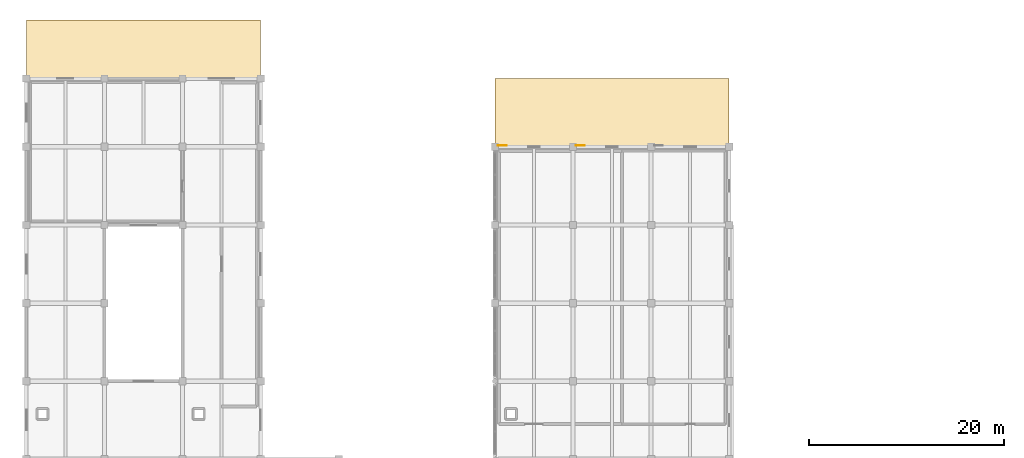
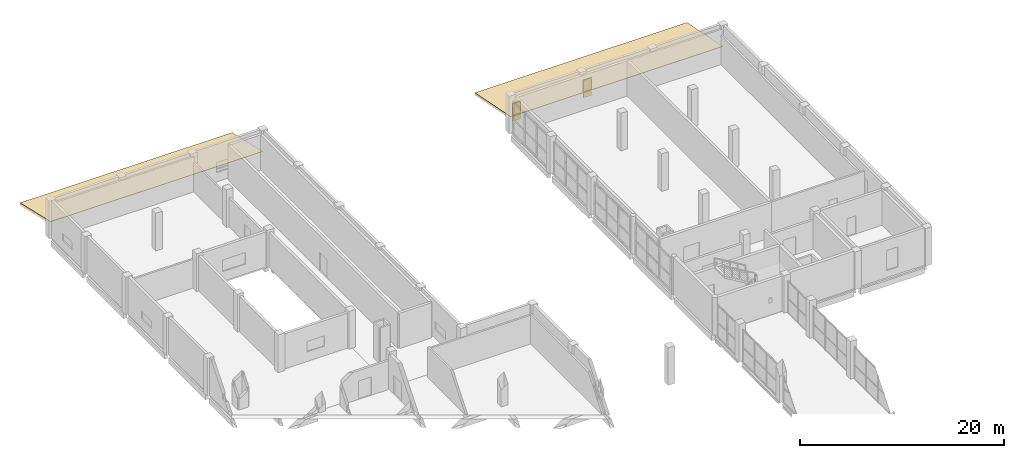
# One storey, part 51 of 53: 2 coverings, 2 shading devices.
"""IFC4 building model written with IfcOpenShell, lengths in metres."""

import ifcopenshell
import ifcopenshell.guid

model = None  # the IFC model being written
_history = None  # IfcOwnerHistory: only IFC2X3 demands one
_inside = {}  # id of a spatial element -> (the spatial element, [elements in it])
_under = {}  # id of a project, library or spatial element -> (it, [spatial elements below it])
_declared = {}  # id of a project -> (the project, [libraries it declares])
_typed = {}  # id of a type object -> (the type object, [elements of that type])
_made_of = {}  # id of a material, layer set ... -> (it, [elements and type objects made of it])


def new_model(schema):
    """Start an empty IFC model of exactly this schema.

    Asked for "IFC4X3", IfcOpenShell would pick the latest addendum, in which some entities
    have other attributes; the version numbers below select the first issue.
    IFC2X3 requires an IfcOwnerHistory on every rooted entity: one is made here for all.
    """
    global model, _history
    if schema == "IFC4X3":
        model = ifcopenshell.file(schema_version=(4, 3, 0, 0))
    else:
        model = ifcopenshell.file(schema=schema)
    _inside.clear()
    _under.clear()
    _declared.clear()
    _typed.clear()
    _made_of.clear()
    _history = None
    if model.schema == "IFC2X3":
        org = make("IfcOrganization", Name="unknown")
        user = make(
            "IfcPersonAndOrganization",
            ThePerson=make("IfcPerson", FamilyName="unknown"),
            TheOrganization=org,
        )
        app = make(
            "IfcApplication",
            ApplicationDeveloper=org,
            Version="unknown",
            ApplicationFullName="unknown",
            ApplicationIdentifier="unknown",
        )
        _history = make(
            "IfcOwnerHistory",
            OwningUser=user,
            OwningApplication=app,
            ChangeAction="ADDED",
            CreationDate=0,
        )
    return model


def make(cls, **values):
    """One entity of the class cls with the attributes given. An attribute that is None is left unset."""
    return model.create_entity(
        cls, **{name: value for name, value in values.items() if value is not None}
    )


def rooted(cls, **values):
    """An entity with a GlobalId (a new one), such as an element, a storey or a relation."""
    return make(cls, GlobalId=ifcopenshell.guid.new(), OwnerHistory=_history, **values)


def si_unit(unit_type, name, prefix=None):
    """IfcSIUnit, for example si_unit("LENGTHUNIT", "METRE", prefix="MILLI")."""
    return make("IfcSIUnit", UnitType=unit_type, Prefix=prefix, Name=name)


def assignment(units):
    """IfcUnitAssignment: the units of a project."""
    return None if units is None else make("IfcUnitAssignment", Units=units)


def point(xyz):
    """IfcCartesianPoint."""
    return None if xyz is None else make("IfcCartesianPoint", Coordinates=xyz)


def direction(xyz):
    """IfcDirection."""
    return None if xyz is None else make("IfcDirection", DirectionRatios=xyz)


def frame(location, z_axis=None, x_axis=None):
    """IfcAxis2Placement3D, a coordinate frame: its origin and axes. An axis left out is left unset."""
    return make(
        "IfcAxis2Placement3D",
        Location=point(location),
        Axis=direction(z_axis),
        RefDirection=direction(x_axis),
    )


def frame_2d(location, x_axis=None):
    """IfcAxis2Placement2D, a coordinate frame in the plane: its origin and x axis."""
    return make(
        "IfcAxis2Placement2D", Location=point(location), RefDirection=direction(x_axis)
    )


def origin():
    """The frame at (0, 0, 0) with its axes left unset."""
    return frame((0.0, 0.0, 0.0))


def origin_2d():
    """The frame at (0, 0) in the plane with its x axis left unset."""
    return frame_2d((0.0, 0.0))


def place(relative_to, where):
    """IfcLocalPlacement: puts the frame where relative to a parent placement (None: the world)."""
    return make(
        "IfcLocalPlacement", PlacementRelTo=relative_to, RelativePlacement=where
    )


def context(
    kind, dimensions, precision=None, world=None, true_north=None, identifier=None
):
    """IfcGeometricRepresentationContext, for example the 3D "Model" context."""
    return make(
        "IfcGeometricRepresentationContext",
        ContextIdentifier=identifier,
        ContextType=kind,
        CoordinateSpaceDimension=dimensions,
        Precision=precision,
        WorldCoordinateSystem=world,
        TrueNorth=true_north,
    )


def subcontext(parent, identifier, kind, view, scale=None):
    """IfcGeometricRepresentationSubContext, for example "Body" below "Model"."""
    return make(
        "IfcGeometricRepresentationSubContext",
        ContextIdentifier=identifier,
        ContextType=kind,
        ParentContext=parent,
        TargetScale=scale,
        TargetView=view,
    )


def project(units=None, contexts=None):
    """IfcProject with its units and contexts."""
    return rooted(
        "IfcProject",
        Name="project",
        RepresentationContexts=contexts,
        UnitsInContext=assignment(units),
    )


def spatial(cls, under=None, at=None, **own):
    """A site, building, storey or space (cls), placed at a placement, below another one or the project."""
    s = rooted(cls, ObjectPlacement=at, **own)
    if under is not None:
        _under.setdefault(under.id(), (under, []))[1].append(s)
    return s


def polyline(points):
    """IfcPolyline through the points."""
    return make("IfcPolyline", Points=[point(p) for p in points])


def profile(cls, at=None, kind="AREA", **sizes):
    """A parametric profile (cls). Its sizes go by their IFC names, for example OverallWidth=200.0."""
    return make(cls, ProfileType=kind, Position=at, **sizes)


def rectangle(**sizes):
    """IfcRectangleProfileDef."""
    return profile("IfcRectangleProfileDef", **sizes)


def outline(outer, holes=None, kind="AREA"):
    """IfcArbitraryClosedProfileDef: a profile drawn as a closed curve; with holes, ...WithVoids."""
    if holes is None:
        return make("IfcArbitraryClosedProfileDef", ProfileType=kind, OuterCurve=outer)
    return make(
        "IfcArbitraryProfileDefWithVoids",
        ProfileType=kind,
        OuterCurve=outer,
        InnerCurves=holes,
    )


def extrude(swept, where, along, depth):
    """IfcExtrudedAreaSolid: the profile swept, set in the frame where, extruded along a direction by depth."""
    return make(
        "IfcExtrudedAreaSolid",
        SweptArea=swept,
        Position=where,
        ExtrudedDirection=direction(along),
        Depth=depth,
    )


def shape(context_of_items, identifier, shape_type, items):
    """IfcShapeRepresentation: the items that make up one representation, for example the "Body"."""
    return make(
        "IfcShapeRepresentation",
        ContextOfItems=context_of_items,
        RepresentationIdentifier=identifier,
        RepresentationType=shape_type,
        Items=items,
    )


def material(Name=None, Category=None):
    """IfcMaterial."""
    return make("IfcMaterial", Name=Name, Category=Category)


def layer(
    of_material, thickness, ventilated=None, Name=None, Category=None, Priority=None
):
    """IfcMaterialLayer: one layer of a wall or slab, of a material (None: an air gap)."""
    return make(
        "IfcMaterialLayer",
        Material=of_material,
        LayerThickness=thickness,
        IsVentilated=ventilated,
        Name=Name,
        Category=Category,
        Priority=Priority,
    )


def layer_set(layers, Name=None):
    """IfcMaterialLayerSet."""
    return make("IfcMaterialLayerSet", MaterialLayers=layers, LayerSetName=Name)


def made_of(thing, what):
    """Note that an element or type object is made of a material, layer set ...; save() writes the relation."""
    if what is not None:
        _made_of.setdefault(what.id(), (what, []))[1].append(thing)
    return thing


def type_object(cls, material=None, **own):
    """A type object (cls), such as IfcWallType, which elements share."""
    return made_of(rooted(cls, **own), material)


def element(
    cls,
    number,
    at=None,
    inside=None,
    cuts=None,
    type_object=None,
    material=None,
    context=None,
    identifier="Body",
    shape_type=None,
    held_by="IfcProductDefinitionShape",
    body=None,
    shapes=None,
    **own,
):
    """One element of the class cls, such as IfcWall. Its Tag is "e" and its number.

    at: its placement. inside: the storey or other place that contains it. cuts: it is an
    opening in that element (IfcRelVoidsElement). A single representation is given by context,
    identifier, shape_type and body (its items); several are given by shapes. held_by: the class
    of the entity that holds the representations. save() writes the other relations.
    """
    e = rooted(cls, Tag="e%d" % number, ObjectPlacement=at, **own)
    if body is not None:
        shapes = [shape(context, identifier, shape_type, body)]
    if shapes is not None:
        e.Representation = make(held_by, Representations=shapes)
    if inside is not None:
        _inside.setdefault(inside.id(), (inside, []))[1].append(e)
    if cuts is not None:
        rooted(
            "IfcRelVoidsElement", RelatingBuildingElement=cuts, RelatedOpeningElement=e
        )
    if type_object is not None:
        _typed.setdefault(type_object.id(), (type_object, []))[1].append(e)
    return made_of(e, material)


def aggregate(whole, parts):
    """IfcRelAggregates: a whole, such as a stair, and the parts it consists of."""
    return rooted("IfcRelAggregates", RelatingObject=whole, RelatedObjects=parts)


def save(model, path):
    """Write the relations noted so far, then the file.

    IfcRelAggregates (storeys below a building ...), IfcRelContainedInSpatialStructure (elements
    in a storey), IfcRelDefinesByType, IfcRelAssociatesMaterial and IfcRelDeclares: one each for
    every whole, place, type object, material and project.
    """
    for whole, parts in _under.values():
        aggregate(whole, parts)
    for where, things in _inside.values():
        rooted(
            "IfcRelContainedInSpatialStructure",
            RelatedElements=things,
            RelatingStructure=where,
        )
    for kind, things in _typed.values():
        rooted("IfcRelDefinesByType", RelatedObjects=things, RelatingType=kind)
    for what, things in _made_of.values():
        rooted("IfcRelAssociatesMaterial", RelatedObjects=things, RelatingMaterial=what)
    for by, libraries in _declared.values():
        rooted("IfcRelDeclares", RelatingContext=by, RelatedDefinitions=libraries)
    model.write(path)


model = new_model("IFC4")

# Units and contexts
model_context = context("Model", 3, precision=1e-05, world=origin(), true_north=direction((0.0, 1.0)))
body_context = subcontext(model_context, "Body", "Model", "MODEL_VIEW")
ifc_project = project(units=[si_unit("LENGTHUNIT", "METRE"), si_unit("AREAUNIT", "SQUARE_METRE"), si_unit("VOLUMEUNIT", "CUBIC_METRE"), si_unit("PLANEANGLEUNIT", "RADIAN"), si_unit("MASSUNIT", "GRAM", prefix="KILO")], contexts=[model_context])

# Site, building, storey
site_placement = place(None, origin())
site = spatial("IfcSite", under=ifc_project, at=site_placement, CompositionType="ELEMENT")
building_placement = place(site_placement, origin())
building = spatial("IfcBuilding", under=site, at=building_placement, Name="Qorikala Patio Media Centre", CompositionType="ELEMENT")
storey_placement = place(building_placement, frame((0.0, 0.0, 5.39990234375)))
storey = spatial("IfcBuildingStorey", under=building, at=storey_placement, Name="L01", CompositionType="ELEMENT", Elevation=5.39990234375)

# Coverings
ifc_material_1 = material(Name="Spanish Terracotta Clay Tile", Category="masonry")
ifc_layer_1 = layer(ifc_material_1, 0.054931640625)
ifc_layer_set_1 = layer_set([ifc_layer_1], Name="Spanish Terracotta Clay Tile")
covering_type = type_object("IfcCoveringType", Name="COV-ROOF-TILE", PredefinedType="ROOFING", material=ifc_layer_set_1)
covering_1_placement = place(storey_placement, frame((3.0, 117.0, 0.320068359375), z_axis=(0.0, 0.22571056897, 0.974194405165), x_axis=(1.0, 0.0, 0.0)))
element("IfcCovering", 1, at=covering_1_placement, inside=storey, type_object=covering_type, Name="L01 Terracotta Clay-Tile Loggia Roof RF-LOG-V4-L1", PredefinedType="ROOFING", context=body_context, shape_type="SweptSolid", body=[
    extrude(outline(polyline([(0.0, 0.0), (24.0, 0.0), (24.0, -6.1589349807265386), (0.0, -6.1589349807265386), (0.0, 0.0)])), origin(), (0.0, 0.0, -1.0), 0.054931640625),
])
covering_2_placement = place(storey_placement, frame((51.0, 111.0, 0.320068359375), z_axis=(0.0, 0.19478706005, 0.980845554222), x_axis=(1.0, 0.0, 0.0)))
element("IfcCovering", 2, at=covering_2_placement, inside=storey, type_object=covering_type, Name="L01 Terracotta Clay-Tile Loggia Roof RF-LOG-V5-L1", PredefinedType="ROOFING", context=body_context, shape_type="SweptSolid", body=[
    extrude(outline(polyline([(0.0, 0.0), (24.0, 0.0), (24.0, -7.136699524066921), (0.0, -7.136699524066921), (0.0, 0.0)])), origin(), (0.0, 0.0, -1.0), 0.054931640625),
])

# Shading devices
ifc_material_2 = material(Name="Golden Bronze Anodised Aluminium", Category="aluminium")
ifc_layer_2 = layer(ifc_material_2, 0.06005859375)
ifc_layer_set_2 = layer_set([ifc_layer_2], Name="Golden Bronze Anodised Aluminium")
shading_device_type = type_object("IfcShadingDeviceType", Name="SHD-SHUTTER", PredefinedType="SHUTTER", material=ifc_layer_set_2)
for number, where, z_axis, x_axis, name in (
    (3, (51.75, 104.1650390625, 0.949951171875), (0.0, 0.0, 1.0), (1.0, 0.0, 0.0), "L01 Colonial Bronze Sun Shutter 006"),
    (4, (59.75, 104.1650390625, 0.949951171875), (0.0, 0.0, 1.0), (1.0, 0.0, 0.0), "L01 Colonial Bronze Sun Shutter 007"),
):
    element("IfcShadingDevice", number, at=place(storey_placement, frame(where, z_axis=z_axis, x_axis=x_axis)), inside=storey, type_object=shading_device_type, Name=name, PredefinedType="SHUTTER", context=body_context, shape_type="SweptSolid", body=[
        extrude(rectangle(XDim=0.89990234375, YDim=0.06005859375, at=origin_2d()), origin(), (0.0, 0.0, 1.0), 2.10009765625),
    ])

save(model, "model.ifc")
